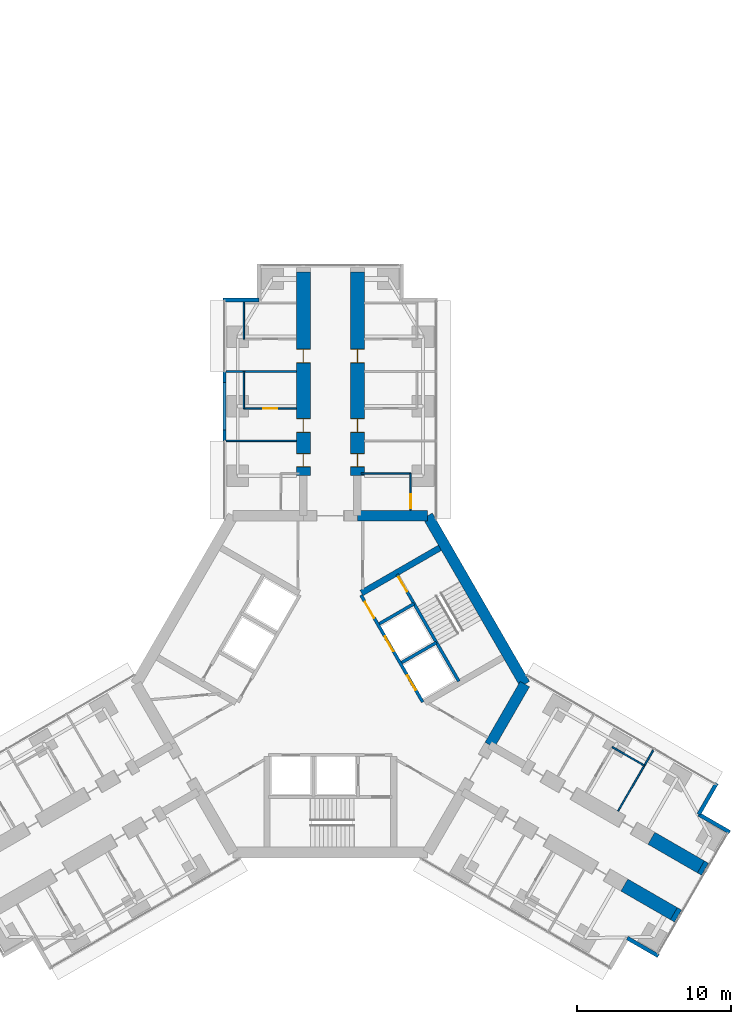
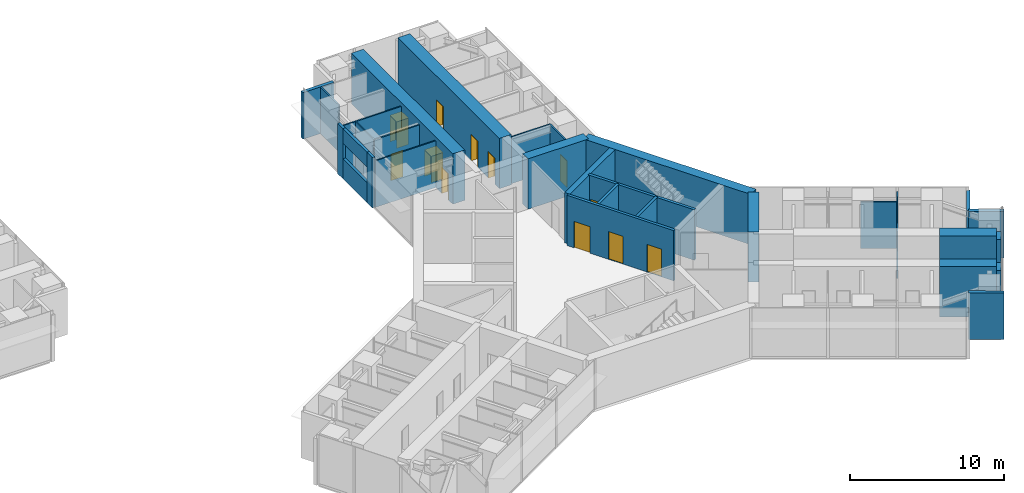
# One storey, part 22 of 25: 31 walls, 12 doors, 12 openings.
"""IFC4 building model written with IfcOpenShell, lengths in metres."""

from ifc_helpers import new_model, si_unit, direction, frame, frame_2d, origin, place, context, subcontext, project, spatial, rectangle, extrude, material, layer, layer_set, type_object, element, fill, save


model = new_model("IFC4")

# Units and contexts
model_context = context("Model", 3, precision=1e-05, world=origin(), true_north=direction((0.0, 1.0)))
body_context = subcontext(model_context, "Body", "Model", "MODEL_VIEW")
ifc_project = project(units=[si_unit("LENGTHUNIT", "METRE"), si_unit("AREAUNIT", "SQUARE_METRE"), si_unit("VOLUMEUNIT", "CUBIC_METRE"), si_unit("PLANEANGLEUNIT", "RADIAN"), si_unit("MASSUNIT", "GRAM", prefix="KILO")], contexts=[model_context])

# Site, building, storey
site_placement = place(None, origin())
site = spatial("IfcSite", under=ifc_project, at=site_placement, CompositionType="ELEMENT")
building_placement = place(site_placement, origin())
building = spatial("IfcBuilding", under=site, at=building_placement, Name="Upepo Twin Towers", CompositionType="ELEMENT")
storey_placement = place(building_placement, frame((0.0, 0.0, 88.5)))
storey = spatial("IfcBuildingStorey", under=building, at=storey_placement, Name="L21", CompositionType="ELEMENT", Elevation=88.5)

# Walls
ifc_material_1 = material(Name="Dense concrete blockwork", Category="masonry")
ifc_layer_1 = layer(ifc_material_1, 0.89990234375)
ifc_layer_set_1 = layer_set([ifc_layer_1], Name="Buttress closer 900, blockwork with fire-stopping to the curtain wall")
wall_type_1 = type_object("IfcWallType", Name="Buttress closer 900, blockwork with fire-stopping to the curtain wall", PredefinedType="PARTITIONING", material=ifc_layer_set_1)
for number, where, z_axis, x_axis, name in (
    (1, (82.497802734375, -29.83447265625, 0.0), (0.0, 0.0, 1.0), (0.866054481515, -0.499949632511, 0.0), "T2 L21 wing C buttress closer L"),
    (2, (80.747802734375, -32.865478515625, 0.0), (0.0, 0.0, 1.0), (0.866054481515, -0.499949632511, 0.0), "T2 L21 wing C buttress closer R"),
):
    element("IfcWall", number, at=place(storey_placement, frame(where, z_axis=z_axis, x_axis=x_axis)), inside=storey, type_object=wall_type_1, Name=name, PredefinedType="PARTITIONING", context=body_context, shape_type="SweptSolid", body=[
        extrude(rectangle(XDim=0.31005859375, YDim=0.89990234375, at=frame_2d((0.155029296875, 0.0))), origin(), (0.0, 0.0, 1.0), 3.699951171875),
    ])

# Wall, openings, doors
ifc_material_2 = material(Name="Concrete C60/75", Category="concrete")
ifc_layer_2 = layer(ifc_material_2, 0.89990234375)
ifc_layer_set_2 = layer_set([ifc_layer_2], Name="Concrete C60/75")
wall_type_2 = type_object("IfcWallType", Name="Buttress wall 900 RC", PredefinedType="SHEAR", material=ifc_layer_set_2)
wall_1_placement = place(storey_placement, frame((56.75, -4.5, 0.0), z_axis=(0.0, 0.0, 1.0), x_axis=(0.0, 1.0, 0.0)))
wall_1 = element("IfcWall", 3, at=wall_1_placement, inside=storey, type_object=wall_type_2, Name="T2 wing A buttress wall L part 2", PredefinedType="SHEAR", context=body_context, shape_type="SweptSolid", body=[
    extrude(rectangle(XDim=13.199951171875, YDim=0.89990234375, at=frame_2d((6.60009765625, 0.0))), origin(), (0.0, 0.0, 1.0), 4.0),
])
opening_1_placement = place(wall_1_placement, frame((0.550048828125, 0.0, 0.0)))
opening_1 = element("IfcOpeningElement", 4, at=opening_1_placement, cuts=wall_1, Name="Opening D11", PredefinedType="OPENING", context=body_context, shape_type="SweptSolid", body=[
    extrude(rectangle(XDim=0.89990234375, YDim=2.10009765625, at=frame_2d((0.449951171875, 1.050048828125))), frame((0.0, 0.4599609375, 0.0), z_axis=(0.0, -1.0, 0.0), x_axis=(1.0, 0.0, 0.0)), (0.0, 0.0, 1.0), 0.919921875),
])
opening_2_placement = place(wall_1_placement, frame((2.800048828125, 0.0, 0.0)))
opening_2 = element("IfcOpeningElement", 5, at=opening_2_placement, cuts=wall_1, Name="Opening D14", PredefinedType="OPENING", context=body_context, shape_type="SweptSolid", body=[
    extrude(rectangle(XDim=0.89990234375, YDim=2.10009765625, at=frame_2d((0.449951171875, 1.050048828125))), frame((0.0, 0.4599609375, 0.0), z_axis=(0.0, -1.0, 0.0), x_axis=(1.0, 0.0, 0.0)), (0.0, 0.0, 1.0), 0.919921875),
])
opening_3_placement = place(wall_1_placement, frame((7.300048828125, 0.0, 0.0)))
opening_3 = element("IfcOpeningElement", 6, at=opening_3_placement, cuts=wall_1, Name="Opening D14", PredefinedType="OPENING", context=body_context, shape_type="SweptSolid", body=[
    extrude(rectangle(XDim=0.89990234375, YDim=2.10009765625, at=frame_2d((0.449951171875, 1.050048828125))), frame((0.0, 0.4599609375, 0.0), z_axis=(0.0, -1.0, 0.0), x_axis=(1.0, 0.0, 0.0)), (0.0, 0.0, 1.0), 0.919921875),
])
ifc_material_3 = material(Name="Timber doorset", Category="wood")
door_type_1 = type_object("IfcDoorType", Name="Office door 900 FD30", OperationType="SINGLE_SWING_LEFT", PredefinedType="DOOR", material=ifc_material_3)
door_1_placement = place(opening_2_placement, origin())
door_1 = element("IfcDoor", 7, at=door_1_placement, inside=storey, type_object=door_type_1, Name="T2 L21 staff office door", OperationType="SINGLE_SWING_LEFT", OverallHeight=2.10009765625, OverallWidth=0.89990234375, PredefinedType="DOOR", context=body_context, shape_type="SweptSolid", body=[
    extrude(rectangle(XDim=0.81990234375, YDim=2.06009765625, at=frame_2d((0.449951171875, 1.030029296875))), frame((0.0, 0.02490234375, 0.0), z_axis=(0.0, -1.0, 0.0), x_axis=(1.0, 0.0, 0.0)), (0.0, 0.0, 1.0), 0.050048828125),
    extrude(rectangle(XDim=0.04, YDim=2.10009765625, at=frame_2d((0.02001953125, 1.050048828125))), frame((0.0, 0.44970703125, 0.0), z_axis=(0.0, -1.0, 0.0), x_axis=(1.0, 0.0, 0.0)), (0.0, 0.0, 1.0), 0.8994140625),
    extrude(rectangle(XDim=0.04, YDim=2.10009765625, at=frame_2d((0.8798828125, 1.050048828125))), frame((0.0, 0.44970703125, 0.0), z_axis=(0.0, -1.0, 0.0), x_axis=(1.0, 0.0, 0.0)), (0.0, 0.0, 1.0), 0.8994140625),
    extrude(rectangle(XDim=0.81990234375, YDim=0.04, at=frame_2d((0.449951171875, 2.080078125))), frame((0.0, 0.44970703125, 0.0), z_axis=(0.0, -1.0, 0.0), x_axis=(1.0, 0.0, 0.0)), (0.0, 0.0, 1.0), 0.8994140625),
])
fill(opening_2, door_1)
door_2_placement = place(opening_3_placement, origin())
door_2 = element("IfcDoor", 8, at=door_2_placement, inside=storey, type_object=door_type_1, Name="T2 L21 meeting room door", OperationType="SINGLE_SWING_RIGHT", OverallHeight=2.10009765625, OverallWidth=0.89990234375, PredefinedType="DOOR", context=body_context, shape_type="SweptSolid", body=[
    extrude(rectangle(XDim=0.81990234375, YDim=2.06009765625, at=frame_2d((0.449951171875, 1.030029296875))), frame((0.0, 0.02490234375, 0.0), z_axis=(0.0, -1.0, 0.0), x_axis=(1.0, 0.0, 0.0)), (0.0, 0.0, 1.0), 0.050048828125),
    extrude(rectangle(XDim=0.04, YDim=2.10009765625, at=frame_2d((0.02001953125, 1.050048828125))), frame((0.0, 0.44970703125, 0.0), z_axis=(0.0, -1.0, 0.0), x_axis=(1.0, 0.0, 0.0)), (0.0, 0.0, 1.0), 0.8994140625),
    extrude(rectangle(XDim=0.04, YDim=2.10009765625, at=frame_2d((0.8798828125, 1.050048828125))), frame((0.0, 0.44970703125, 0.0), z_axis=(0.0, -1.0, 0.0), x_axis=(1.0, 0.0, 0.0)), (0.0, 0.0, 1.0), 0.8994140625),
    extrude(rectangle(XDim=0.81990234375, YDim=0.04, at=frame_2d((0.449951171875, 2.080078125))), frame((0.0, 0.44970703125, 0.0), z_axis=(0.0, -1.0, 0.0), x_axis=(1.0, 0.0, 0.0)), (0.0, 0.0, 1.0), 0.8994140625),
])
fill(opening_3, door_2)
ifc_material_4 = material(Name="Timber doorset", Category="wood")
door_type_2 = type_object("IfcDoorType", Name="Toilet door 900", OperationType="SINGLE_SWING_LEFT", PredefinedType="DOOR", material=ifc_material_4)
door_3_placement = place(opening_1_placement, origin())
door_3 = element("IfcDoor", 9, at=door_3_placement, inside=storey, type_object=door_type_2, Name="T2 L21 toilets door", OperationType="SINGLE_SWING_LEFT", OverallHeight=2.10009765625, OverallWidth=0.89990234375, PredefinedType="DOOR", context=body_context, shape_type="SweptSolid", body=[
    extrude(rectangle(XDim=0.81990234375, YDim=2.06009765625, at=frame_2d((0.449951171875, 1.030029296875))), frame((0.0, 0.02490234375, 0.0), z_axis=(0.0, -1.0, 0.0), x_axis=(1.0, 0.0, 0.0)), (0.0, 0.0, 1.0), 0.050048828125),
    extrude(rectangle(XDim=0.04, YDim=2.10009765625, at=frame_2d((0.02001953125, 1.050048828125))), frame((0.0, 0.44970703125, 0.0), z_axis=(0.0, -1.0, 0.0), x_axis=(1.0, 0.0, 0.0)), (0.0, 0.0, 1.0), 0.8994140625),
    extrude(rectangle(XDim=0.04, YDim=2.10009765625, at=frame_2d((0.8798828125, 1.050048828125))), frame((0.0, 0.44970703125, 0.0), z_axis=(0.0, -1.0, 0.0), x_axis=(1.0, 0.0, 0.0)), (0.0, 0.0, 1.0), 0.8994140625),
    extrude(rectangle(XDim=0.81990234375, YDim=0.04, at=frame_2d((0.449951171875, 2.080078125))), frame((0.0, 0.44970703125, 0.0), z_axis=(0.0, -1.0, 0.0), x_axis=(1.0, 0.0, 0.0)), (0.0, 0.0, 1.0), 0.8994140625),
])
fill(opening_1, door_3)

wall_2_placement = place(storey_placement, frame((60.25, -4.5, 0.0), z_axis=(0.0, 0.0, 1.0), x_axis=(0.0, 1.0, 0.0)))
wall_2 = element("IfcWall", 10, at=wall_2_placement, inside=storey, type_object=wall_type_2, Name="T2 wing A buttress wall R part 2", PredefinedType="SHEAR", context=body_context, shape_type="SweptSolid", body=[
    extrude(rectangle(XDim=13.199951171875, YDim=0.89990234375, at=frame_2d((6.60009765625, 0.0))), origin(), (0.0, 0.0, 1.0), 4.0),
])
opening_4_placement = place(wall_2_placement, frame((0.550048828125, 0.0, 0.0)))
opening_4 = element("IfcOpeningElement", 11, at=opening_4_placement, cuts=wall_2, Name="Opening D11", PredefinedType="OPENING", context=body_context, shape_type="SweptSolid", body=[
    extrude(rectangle(XDim=0.89990234375, YDim=2.10009765625, at=frame_2d((0.449951171875, 1.050048828125))), frame((0.0, 0.4599609375, 0.0), z_axis=(0.0, -1.0, 0.0), x_axis=(1.0, 0.0, 0.0)), (0.0, 0.0, 1.0), 0.919921875),
])
opening_5_placement = place(wall_2_placement, frame((2.800048828125, 0.0, 0.0)))
opening_5 = element("IfcOpeningElement", 12, at=opening_5_placement, cuts=wall_2, Name="Opening D14", PredefinedType="OPENING", context=body_context, shape_type="SweptSolid", body=[
    extrude(rectangle(XDim=0.89990234375, YDim=2.10009765625, at=frame_2d((0.449951171875, 1.050048828125))), frame((0.0, 0.4599609375, 0.0), z_axis=(0.0, -1.0, 0.0), x_axis=(1.0, 0.0, 0.0)), (0.0, 0.0, 1.0), 0.919921875),
])
opening_6_placement = place(wall_2_placement, frame((7.300048828125, 0.0, 0.0)))
opening_6 = element("IfcOpeningElement", 13, at=opening_6_placement, cuts=wall_2, Name="Opening D14", PredefinedType="OPENING", context=body_context, shape_type="SweptSolid", body=[
    extrude(rectangle(XDim=0.89990234375, YDim=2.10009765625, at=frame_2d((0.449951171875, 1.050048828125))), frame((0.0, 0.4599609375, 0.0), z_axis=(0.0, -1.0, 0.0), x_axis=(1.0, 0.0, 0.0)), (0.0, 0.0, 1.0), 0.919921875),
])
door_4_placement = place(opening_5_placement, origin())
door_4 = element("IfcDoor", 14, at=door_4_placement, inside=storey, type_object=door_type_1, Name="T2 L21 staff office door", OperationType="SINGLE_SWING_LEFT", OverallHeight=2.10009765625, OverallWidth=0.89990234375, PredefinedType="DOOR", context=body_context, shape_type="SweptSolid", body=[
    extrude(rectangle(XDim=0.81990234375, YDim=2.06009765625, at=frame_2d((0.449951171875, 1.030029296875))), frame((0.0, 0.02490234375, 0.0), z_axis=(0.0, -1.0, 0.0), x_axis=(1.0, 0.0, 0.0)), (0.0, 0.0, 1.0), 0.050048828125),
    extrude(rectangle(XDim=0.04, YDim=2.10009765625, at=frame_2d((0.02001953125, 1.050048828125))), frame((0.0, 0.44970703125, 0.0), z_axis=(0.0, -1.0, 0.0), x_axis=(1.0, 0.0, 0.0)), (0.0, 0.0, 1.0), 0.8994140625),
    extrude(rectangle(XDim=0.04, YDim=2.10009765625, at=frame_2d((0.8798828125, 1.050048828125))), frame((0.0, 0.44970703125, 0.0), z_axis=(0.0, -1.0, 0.0), x_axis=(1.0, 0.0, 0.0)), (0.0, 0.0, 1.0), 0.8994140625),
    extrude(rectangle(XDim=0.81990234375, YDim=0.04, at=frame_2d((0.449951171875, 2.080078125))), frame((0.0, 0.44970703125, 0.0), z_axis=(0.0, -1.0, 0.0), x_axis=(1.0, 0.0, 0.0)), (0.0, 0.0, 1.0), 0.8994140625),
])
fill(opening_5, door_4)
door_5_placement = place(opening_6_placement, origin())
door_5 = element("IfcDoor", 15, at=door_5_placement, inside=storey, type_object=door_type_1, Name="T2 L21 postgraduate office door", OperationType="SINGLE_SWING_RIGHT", OverallHeight=2.10009765625, OverallWidth=0.89990234375, PredefinedType="DOOR", context=body_context, shape_type="SweptSolid", body=[
    extrude(rectangle(XDim=0.81990234375, YDim=2.06009765625, at=frame_2d((0.449951171875, 1.030029296875))), frame((0.0, 0.02490234375, 0.0), z_axis=(0.0, -1.0, 0.0), x_axis=(1.0, 0.0, 0.0)), (0.0, 0.0, 1.0), 0.050048828125),
    extrude(rectangle(XDim=0.04, YDim=2.10009765625, at=frame_2d((0.02001953125, 1.050048828125))), frame((0.0, 0.44970703125, 0.0), z_axis=(0.0, -1.0, 0.0), x_axis=(1.0, 0.0, 0.0)), (0.0, 0.0, 1.0), 0.8994140625),
    extrude(rectangle(XDim=0.04, YDim=2.10009765625, at=frame_2d((0.8798828125, 1.050048828125))), frame((0.0, 0.44970703125, 0.0), z_axis=(0.0, -1.0, 0.0), x_axis=(1.0, 0.0, 0.0)), (0.0, 0.0, 1.0), 0.8994140625),
    extrude(rectangle(XDim=0.81990234375, YDim=0.04, at=frame_2d((0.449951171875, 2.080078125))), frame((0.0, 0.44970703125, 0.0), z_axis=(0.0, -1.0, 0.0), x_axis=(1.0, 0.0, 0.0)), (0.0, 0.0, 1.0), 0.8994140625),
])
fill(opening_6, door_5)
door_6_placement = place(opening_4_placement, origin())
door_6 = element("IfcDoor", 16, at=door_6_placement, inside=storey, type_object=door_type_2, Name="T2 L21 accessible wc door", OperationType="SINGLE_SWING_LEFT", OverallHeight=2.10009765625, OverallWidth=0.89990234375, PredefinedType="DOOR", context=body_context, shape_type="SweptSolid", body=[
    extrude(rectangle(XDim=0.81990234375, YDim=2.06009765625, at=frame_2d((0.449951171875, 1.030029296875))), frame((0.0, 0.02490234375, 0.0), z_axis=(0.0, -1.0, 0.0), x_axis=(1.0, 0.0, 0.0)), (0.0, 0.0, 1.0), 0.050048828125),
    extrude(rectangle(XDim=0.04, YDim=2.10009765625, at=frame_2d((0.02001953125, 1.050048828125))), frame((0.0, 0.44970703125, 0.0), z_axis=(0.0, -1.0, 0.0), x_axis=(1.0, 0.0, 0.0)), (0.0, 0.0, 1.0), 0.8994140625),
    extrude(rectangle(XDim=0.04, YDim=2.10009765625, at=frame_2d((0.8798828125, 1.050048828125))), frame((0.0, 0.44970703125, 0.0), z_axis=(0.0, -1.0, 0.0), x_axis=(1.0, 0.0, 0.0)), (0.0, 0.0, 1.0), 0.8994140625),
    extrude(rectangle(XDim=0.81990234375, YDim=0.04, at=frame_2d((0.449951171875, 2.080078125))), frame((0.0, 0.44970703125, 0.0), z_axis=(0.0, -1.0, 0.0), x_axis=(1.0, 0.0, 0.0)), (0.0, 0.0, 1.0), 0.8994140625),
])
fill(opening_4, door_6)

# Walls
wall_3_placement = place(storey_placement, frame((79.293701171875, -27.984375, 0.0), z_axis=(0.0, 0.0, 1.0), x_axis=(0.866000971088, -0.500042316284, 0.0)))
element("IfcWall", 17, at=wall_3_placement, inside=storey, type_object=wall_type_2, Name="T2 wing C buttress wall L part 3", PredefinedType="SHEAR", context=body_context, shape_type="SweptSolid", body=[
    extrude(rectangle(XDim=3.699951171875, YDim=0.89990234375, at=frame_2d((1.85009765625, 0.0))), origin(), (0.0, 0.0, 1.0), 4.0),
])
wall_4_placement = place(storey_placement, frame((77.543701171875, -31.015625, 0.0), z_axis=(0.0, 0.0, 1.0), x_axis=(0.866029545028, -0.499992827086, 0.0)))
element("IfcWall", 18, at=wall_4_placement, inside=storey, type_object=wall_type_2, Name="T2 wing C buttress wall R part 3", PredefinedType="SHEAR", context=body_context, shape_type="SweptSolid", body=[
    extrude(rectangle(XDim=3.69970703125, YDim=0.89990234375, at=frame_2d((1.849853515625, 0.0))), origin(), (0.0, 0.0, 1.0), 4.0),
])
ifc_material_5 = material(Name="Concrete C60/75", Category="concrete")
ifc_layer_3 = layer(ifc_material_5, 0.699951171875)
ifc_layer_set_3 = layer_set([ifc_layer_3], Name="Concrete C60/75")
wall_type_3 = type_object("IfcWallType", Name="Core wall 700 RC", PredefinedType="SHEAR", material=ifc_layer_set_3)
wall_5_placement = place(storey_placement, frame((64.7978515625, -7.091552734375, 0.0), z_axis=(0.0, 0.0, 1.0), x_axis=(-1.0, 0.0, 0.0)))
element("IfcWall", 19, at=wall_5_placement, inside=storey, type_object=wall_type_3, Name="T2 core wall 000 R", PredefinedType="SHEAR", context=body_context, shape_type="SweptSolid", body=[
    extrude(rectangle(XDim=4.5478515625, YDim=0.699951171875, at=frame_2d((2.27392578125, 0.0))), origin(), (0.0, 0.0, 1.0), 4.0),
])
wall_6_placement = place(storey_placement, frame((68.82177734375, -21.938720703125, 0.0), z_axis=(0.0, 0.0, 1.0), x_axis=(0.500024481964, 0.866011268655, 0.0)))
element("IfcWall", 20, at=wall_6_placement, inside=storey, type_object=wall_type_3, Name="T2 core wall 240 L", PredefinedType="SHEAR", context=body_context, shape_type="SweptSolid", body=[
    extrude(rectangle(XDim=4.548095703125, YDim=0.699951171875, at=frame_2d((2.27392578125, 0.0))), origin(), (0.0, 0.0, 1.0), 4.0),
])
wall_7_placement = place(storey_placement, frame((71.095947265625, -18.0, 0.0), z_axis=(0.0, 0.0, 1.0), x_axis=(-0.500005998175, 0.866021940709, 0.0)))
element("IfcWall", 21, at=wall_7_placement, inside=storey, type_object=wall_type_3, Name="T2 core wall 300", PredefinedType="SHEAR", context=body_context, shape_type="SweptSolid", body=[
    extrude(rectangle(XDim=12.595947265625, YDim=0.699951171875, at=frame_2d((6.2978515625, 0.0))), origin(), (0.0, 0.0, 1.0), 4.0),
])
ifc_material_6 = material(Name="Blockwork with anodised aluminium cladding", Category="masonry")
ifc_layer_4 = layer(ifc_material_6, 0.25)
ifc_layer_set_4 = layer_set([ifc_layer_4], Name="Notch cladding wall 250, pale metal")
wall_type_4 = type_object("IfcWallType", Name="Notch cladding wall 250, pale metal", PredefinedType="STANDARD", material=ifc_layer_set_4)
for number, where, z_axis, x_axis, name in (
    (22, (51.550048828125, 6.875, 0.0), (0.0, 0.0, 1.0), (1.0, 0.0, 0.0), "T2 L21 wing A notch wall L1"),
    (23, (83.517333984375, -24.418701171875, 0.0), (0.0, 0.0, 1.0), (-0.499967891604, -0.866043940782, 0.0), "T2 L21 wing C notch wall L1"),
    (24, (82.35498046875, -26.43212890625, 0.0), (0.0, 0.0, 1.0), (0.865998469481, -0.500046648681, 0.0), "T2 L21 wing C notch wall L2"),
    (25, (77.72998046875, -34.44287109375, 0.0), (0.0, 0.0, 1.0), (0.865998469481, -0.500046648681, 0.0), "T2 L21 wing C notch wall R2"),
):
    element("IfcWall", number, at=place(storey_placement, frame(where, z_axis=z_axis, x_axis=x_axis)), inside=storey, type_object=wall_type_4, Name=name, PredefinedType="STANDARD", context=body_context, shape_type="SweptSolid", body=[
        extrude(rectangle(XDim=2.324951171875, YDim=0.25, at=frame_2d((1.16259765625, 0.0))), origin(), (0.0, 0.0, 1.0), 3.699951171875),
    ])
ifc_material_7 = material(Name="Gypsum board on steel studs", Category="steel")
ifc_layer_5 = layer(ifc_material_7, 0.10009765625)
ifc_layer_set_5 = layer_set([ifc_layer_5], Name="Office partition 100 stud")
wall_type_5 = type_object("IfcWallType", Name="Office partition 100 stud", PredefinedType="PARTITIONING", material=ifc_layer_set_5)
for number, where, z_axis, x_axis, name in (
    (26, (56.300048828125, -2.25, 0.0), (0.0, 0.0, 1.0), (-1.0, 0.0, 0.0), "T2 partition AL at 15.75"),
    (27, (56.300048828125, 2.25, 0.0), (0.0, 0.0, 1.0), (-1.0, 0.0, 0.0), "T2 partition AL at 20.25"),
):
    element("IfcWall", number, at=place(storey_placement, frame(where, z_axis=z_axis, x_axis=x_axis)), inside=storey, type_object=wall_type_5, Name=name, PredefinedType="PARTITIONING", context=body_context, shape_type="SweptSolid", body=[
        extrude(rectangle(XDim=4.550048828125, YDim=0.10009765625, at=frame_2d((2.27490234375, 0.0))), origin(), (0.0, 0.0, 1.0), 3.699951171875),
    ])
wall_8_placement = place(storey_placement, frame((52.89990234375, -0.14990234375, 0.0), z_axis=(0.0, 0.0, 1.0), x_axis=(0.0, 1.0, 0.0)))
element("IfcWall", 28, at=wall_8_placement, inside=storey, type_object=wall_type_5, Name="T2 inner room partition AL at 17.85", PredefinedType="PARTITIONING", context=body_context, shape_type="SweptSolid", body=[
    extrude(rectangle(XDim=2.39990234375, YDim=0.10009765625, at=frame_2d((1.199951171875, 0.0))), origin(), (0.0, 0.0, 1.0), 3.699951171875),
])

# Wall, opening, door
wall_9_placement = place(storey_placement, frame((56.300048828125, -0.14990234375, 0.0), z_axis=(0.0, 0.0, 1.0), x_axis=(-1.0, 0.0, 0.0)))
wall_9 = element("IfcWall", 29, at=wall_9_placement, inside=storey, type_object=wall_type_5, Name="T2 inner room partition AL end at 17.85", PredefinedType="PARTITIONING", context=body_context, shape_type="SweptSolid", body=[
    extrude(rectangle(XDim=3.400146484375, YDim=0.10009765625, at=frame_2d((1.7001953125, 0.0))), origin(), (0.0, 0.0, 1.0), 3.699951171875),
])
opening_7_placement = place(wall_9_placement, frame((1.25, 0.0, 0.0)))
opening_7 = element("IfcOpeningElement", 30, at=opening_7_placement, cuts=wall_9, Name="Opening D14", PredefinedType="OPENING", context=body_context, shape_type="SweptSolid", body=[
    extrude(rectangle(XDim=0.89990234375, YDim=2.10009765625, at=frame_2d((0.449951171875, 1.050048828125))), frame((0.0, 0.06005859375, 0.0), z_axis=(0.0, -1.0, 0.0), x_axis=(1.0, 0.0, 0.0)), (0.0, 0.0, 1.0), 0.1201171875),
])
door_7_placement = place(opening_7_placement, origin())
door_7 = element("IfcDoor", 31, at=door_7_placement, inside=storey, type_object=door_type_1, Name="T2 L21 inner room door", OperationType="SINGLE_SWING_LEFT", OverallHeight=2.10009765625, OverallWidth=0.89990234375, PredefinedType="DOOR", context=body_context, shape_type="SweptSolid", body=[
    extrude(rectangle(XDim=0.89990234375, YDim=2.10009765625, at=frame_2d((0.449951171875, 1.050048828125))), frame((0.0, 0.02490234375, 0.0), z_axis=(0.0, -1.0, 0.0), x_axis=(1.0, 0.0, 0.0)), (0.0, 0.0, 1.0), 0.050048828125),
])
fill(opening_7, door_7)

# Wall
wall_10_placement = place(storey_placement, frame((52.89990234375, 4.35009765625, 0.0), z_axis=(0.0, 0.0, 1.0), x_axis=(0.0, 1.0, 0.0)))
element("IfcWall", 32, at=wall_10_placement, inside=storey, type_object=wall_type_5, Name="T2 inner room partition AL at 22.35", PredefinedType="PARTITIONING", context=body_context, shape_type="SweptSolid", body=[
    extrude(rectangle(XDim=2.39990234375, YDim=0.10009765625, at=frame_2d((1.199951171875, 0.0))), origin(), (0.0, 0.0, 1.0), 3.699951171875),
])

# Wall, opening, door
wall_11_placement = place(storey_placement, frame((63.699951171875, -6.741943359375, 0.0), z_axis=(0.0, 0.0, 1.0), x_axis=(0.0, 1.0, 0.0)))
wall_11 = element("IfcWall", 33, at=wall_11_placement, inside=storey, type_object=wall_type_5, Name="T2 WC bay partition AR at 11.26", PredefinedType="PARTITIONING", context=body_context, shape_type="SweptSolid", body=[
    extrude(rectangle(XDim=2.39990234375, YDim=0.10009765625, at=frame_2d((1.199951171875, 0.0))), origin(), (0.0, 0.0, 1.0), 3.699951171875),
])
opening_8_placement = place(wall_11_placement, frame((0.14990234375, 0.0, 0.0)))
opening_8 = element("IfcOpeningElement", 34, at=opening_8_placement, cuts=wall_11, Name="Opening D14", PredefinedType="OPENING", context=body_context, shape_type="SweptSolid", body=[
    extrude(rectangle(XDim=0.89990234375, YDim=2.10009765625, at=frame_2d((0.449951171875, 1.050048828125))), frame((0.0, 0.06005859375, 0.0), z_axis=(0.0, -1.0, 0.0), x_axis=(1.0, 0.0, 0.0)), (0.0, 0.0, 1.0), 0.1201171875),
])
door_8_placement = place(opening_8_placement, origin())
door_8 = element("IfcDoor", 35, at=door_8_placement, inside=storey, type_object=door_type_1, Name="T2 L21 WC bay inner room door", OperationType="SINGLE_SWING_LEFT", OverallHeight=2.10009765625, OverallWidth=0.89990234375, PredefinedType="DOOR", context=body_context, shape_type="SweptSolid", body=[
    extrude(rectangle(XDim=0.89990234375, YDim=2.10009765625, at=frame_2d((0.449951171875, 1.050048828125))), frame((0.0, 0.02490234375, 0.0), z_axis=(0.0, -1.0, 0.0), x_axis=(1.0, 0.0, 0.0)), (0.0, 0.0, 1.0), 0.050048828125),
])
fill(opening_8, door_8)

# Walls
wall_12_placement = place(storey_placement, frame((60.5, -4.342041015625, 0.0), z_axis=(0.0, 0.0, 1.0), x_axis=(1.0, 0.0, 0.0)))
element("IfcWall", 36, at=wall_12_placement, inside=storey, type_object=wall_type_5, Name="T2 WC bay partition AR end at 13.66", PredefinedType="PARTITIONING", context=body_context, shape_type="SweptSolid", body=[
    extrude(rectangle(XDim=3.199951171875, YDim=0.10009765625, at=frame_2d((1.60009765625, 0.0))), origin(), (0.0, 0.0, 1.0), 3.699951171875),
])
wall_13_placement = place(storey_placement, frame((77.136962890625, -26.2197265625, 0.0), z_axis=(0.0, 0.0, 1.0), x_axis=(0.500022803284, 0.866012237902, 0.0)))
element("IfcWall", 37, at=wall_13_placement, inside=storey, type_object=wall_type_5, Name="T2 partition CL at 20.25", PredefinedType="PARTITIONING", context=body_context, shape_type="SweptSolid", body=[
    extrude(rectangle(XDim=4.550048828125, YDim=0.10009765625, at=frame_2d((2.27490234375, 0.0))), origin(), (0.0, 0.0, 1.0), 3.699951171875),
])
wall_14_placement = place(storey_placement, frame((76.758544921875, -22.0751953125, 0.0), z_axis=(0.0, 0.0, 1.0), x_axis=(0.866024647952, -0.500001309137, 0.0)))
element("IfcWall", 38, at=wall_14_placement, inside=storey, type_object=wall_type_5, Name="T2 inner room partition CL at 17.85", PredefinedType="PARTITIONING", context=body_context, shape_type="SweptSolid", body=[
    extrude(rectangle(XDim=2.39990234375, YDim=0.10009765625, at=frame_2d((1.199951171875, 0.0))), origin(), (0.0, 0.0, 1.0), 3.699951171875),
])
ifc_material_8 = material(Name="Concrete C40/50", Category="concrete")
ifc_layer_6 = layer(ifc_material_8, 0.25)
ifc_layer_set_6 = layer_set([ifc_layer_6], Name="Concrete C40/50")
wall_type_6 = type_object("IfcWallType", Name="Refuge fire wall 250 RC", PredefinedType="STANDARD", material=ifc_layer_set_6)
for number, where, z_axis, x_axis, name in (
    (39, (51.64990234375, -2.25, 0.0), (0.0, 0.0, 1.0), (0.0, 1.0, 0.0), "T2 L21 skybridge seat wall 1"),
    (40, (51.64990234375, 1.551025390625, 0.0), (0.0, 0.0, 1.0), (0.0, 1.0, 0.0), "T2 L21 skybridge seat wall 2"),
):
    element("IfcWall", number, at=place(storey_placement, frame(where, z_axis=z_axis, x_axis=x_axis)), inside=storey, type_object=wall_type_6, Name=name, PredefinedType="STANDARD", context=body_context, shape_type="SweptSolid", body=[
        extrude(rectangle(XDim=0.698974609375, YDim=0.199951171875, at=frame_2d((0.349609375, 0.0))), origin(), (0.0, 0.0, 1.0), 4.0),
    ])
wall_15_placement = place(storey_placement, frame((51.64990234375, -1.551025390625, 0.0), z_axis=(0.0, 0.0, 1.0), x_axis=(0.0, 1.0, 0.0)))
element("IfcWall", 41, at=wall_15_placement, inside=storey, type_object=wall_type_6, Name="T2 L21 skybridge seat wall 3", PredefinedType="STANDARD", context=body_context, shape_type="SweptSolid", body=[
    extrude(rectangle(XDim=3.10205078125, YDim=0.199951171875, at=frame_2d((1.551025390625, 0.0))), origin(), (0.0, 0.0, 1.0), 1.610595703125),
])
wall_16_placement = place(storey_placement, frame((51.64990234375, -1.551025390625, 2.820556640625), z_axis=(0.0, 0.0, 1.0), x_axis=(0.0, 1.0, 0.0)))
element("IfcWall", 42, at=wall_16_placement, inside=storey, type_object=wall_type_6, Name="T2 L21 skybridge seat wall 4", PredefinedType="STANDARD", context=body_context, shape_type="SweptSolid", body=[
    extrude(rectangle(XDim=3.10205078125, YDim=0.199951171875, at=frame_2d((1.551025390625, 0.0))), origin(), (0.0, 0.0, 1.0), 1.179443359375),
])

# Wall, openings, doors
ifc_material_9 = material(Name="Concrete C40/50", Category="concrete")
ifc_layer_7 = layer(ifc_material_9, 0.199951171875)
ifc_layer_set_7 = layer_set([ifc_layer_7], Name="Concrete C40/50")
wall_type_7 = type_object("IfcWallType", Name="Shaft wall 200 RC", PredefinedType="SHEAR", material=ifc_layer_set_7)
wall_17_placement = place(storey_placement, frame((64.483642578125, -19.1640625, 0.0), z_axis=(0.0, 0.0, 1.0), x_axis=(-0.49999894854, 0.866026010844, 0.0)))
wall_17 = element("IfcWall", 43, at=wall_17_placement, inside=storey, type_object=wall_type_7, Name="T2 core W300 front wall", PredefinedType="SHEAR", context=body_context, shape_type="SweptSolid", body=[
    extrude(rectangle(XDim=8.0, YDim=0.199951171875, at=frame_2d((4.0, 0.0))), origin(), (0.0, 0.0, 1.0), 4.0),
])
opening_9_placement = place(wall_17_placement, frame((6.300048828125, 0.0, 0.0)))
opening_9 = element("IfcOpeningElement", 44, at=opening_9_placement, cuts=wall_17, Name="Opening D4", PredefinedType="OPENING", context=body_context, shape_type="SweptSolid", body=[
    extrude(rectangle(XDim=1.199951171875, YDim=2.10009765625, at=frame_2d((0.60009765625, 1.050048828125))), frame((0.0, 0.10986328125, 0.0), z_axis=(0.0, -1.0, 0.0), x_axis=(1.0, 0.0, 0.0)), (0.0, 0.0, 1.0), 0.219970703125),
])
opening_10_placement = place(wall_17_placement, frame((0.89990234375, 0.0, 0.0)))
opening_10 = element("IfcOpeningElement", 45, at=opening_10_placement, cuts=wall_17, Name="Opening LD1", PredefinedType="OPENING", context=body_context, shape_type="SweptSolid", body=[
    extrude(rectangle(XDim=1.10009765625, YDim=2.199951171875, at=frame_2d((0.550048828125, 1.10009765625))), frame((0.0, 0.10986328125, 0.0), z_axis=(0.0, -1.0, 0.0), x_axis=(1.0, 0.0, 0.0)), (0.0, 0.0, 1.0), 0.219970703125),
])
opening_11_placement = place(wall_17_placement, frame((3.800048828125, 0.0, 0.0)))
opening_11 = element("IfcOpeningElement", 46, at=opening_11_placement, cuts=wall_17, Name="Opening LD1", PredefinedType="OPENING", context=body_context, shape_type="SweptSolid", body=[
    extrude(rectangle(XDim=1.10009765625, YDim=2.199951171875, at=frame_2d((0.550048828125, 1.10009765625))), frame((0.0, 0.10986328125, 0.0), z_axis=(0.0, -1.0, 0.0), x_axis=(1.0, 0.0, 0.0)), (0.0, 0.0, 1.0), 0.219970703125),
])
ifc_material_10 = material(Name="Steel doorset", Category="steel")
door_type_3 = type_object("IfcDoorType", Name="Lift landing door 1100", OperationType="DOUBLE_DOOR_SLIDING", PredefinedType="DOOR", material=ifc_material_10)
door_9_placement = place(opening_10_placement, origin())
door_9 = element("IfcDoor", 47, at=door_9_placement, inside=storey, type_object=door_type_3, Name="T2 L21 lift LL1 landing door", OperationType="DOUBLE_DOOR_SLIDING", OverallHeight=2.199951171875, OverallWidth=1.10009765625, PredefinedType="DOOR", context=body_context, shape_type="SweptSolid", body=[
    extrude(rectangle(XDim=1.10009765625, YDim=2.199951171875, at=frame_2d((0.550048828125, 1.10009765625))), frame((0.0, 0.02490234375, 0.0), z_axis=(0.0, -1.0, 0.0), x_axis=(1.0, 0.0, 0.0)), (0.0, 0.0, 1.0), 0.050048828125),
])
fill(opening_10, door_9)
door_10_placement = place(opening_11_placement, origin())
door_10 = element("IfcDoor", 48, at=door_10_placement, inside=storey, type_object=door_type_3, Name="T2 L21 lift LL2 landing door", OperationType="DOUBLE_DOOR_SLIDING", OverallHeight=2.199951171875, OverallWidth=1.10009765625, PredefinedType="DOOR", context=body_context, shape_type="SweptSolid", body=[
    extrude(rectangle(XDim=1.10009765625, YDim=2.199951171875, at=frame_2d((0.550048828125, 1.10009765625))), frame((0.0, 0.02490234375, 0.0), z_axis=(0.0, -1.0, 0.0), x_axis=(1.0, 0.0, 0.0)), (0.0, 0.0, 1.0), 0.050048828125),
])
fill(opening_11, door_10)
ifc_material_11 = material(Name="Timber doorset", Category="wood")
door_type_4 = type_object("IfcDoorType", Name="Lobby door 1200 FD60", OperationType="SINGLE_SWING_LEFT", PredefinedType="DOOR", material=ifc_material_11)
door_11_placement = place(opening_9_placement, origin())
door_11 = element("IfcDoor", 49, at=door_11_placement, inside=storey, type_object=door_type_4, Name="T2 L21 W300 lobby door", OperationType="SINGLE_SWING_RIGHT", OverallHeight=2.10009765625, OverallWidth=1.199951171875, PredefinedType="DOOR", context=body_context, shape_type="SweptSolid", body=[
    extrude(rectangle(XDim=1.199951171875, YDim=2.10009765625, at=frame_2d((0.60009765625, 1.050048828125))), frame((0.0, 0.02490234375, 0.0), z_axis=(0.0, -1.0, 0.0), x_axis=(1.0, 0.0, 0.0)), (0.0, 0.0, 1.0), 0.050048828125),
])
fill(opening_9, door_11)

# Walls
wall_18_placement = place(storey_placement, frame((63.120361328125, -16.6025390625, 0.0), z_axis=(0.0, 0.0, 1.0), x_axis=(0.866062058628, 0.499936506574, 0.0)))
element("IfcWall", 50, at=wall_18_placement, inside=storey, type_object=wall_type_7, Name="T2 core W300 shaft divider", PredefinedType="SHEAR", context=body_context, shape_type="SweptSolid", body=[
    extrude(rectangle(XDim=2.599853515625, YDim=0.199951171875, at=frame_2d((1.2998046875, 0.0))), origin(), (0.0, 0.0, 1.0), 4.0),
])
wall_19_placement = place(storey_placement, frame((61.67041015625, -14.091064453125, 0.0), z_axis=(0.0, 0.0, 1.0), x_axis=(0.86603858612, 0.49997716683, 0.0)))
element("IfcWall", 51, at=wall_19_placement, inside=storey, type_object=wall_type_7, Name="T2 core W300 lobby wall", PredefinedType="SHEAR", context=body_context, shape_type="SweptSolid", body=[
    extrude(rectangle(XDim=2.599609375, YDim=0.199951171875, at=frame_2d((1.2998046875, 0.0))), origin(), (0.0, 0.0, 1.0), 4.0),
])

# Wall, opening, door
wall_20_placement = place(storey_placement, frame((66.822021484375, -17.814208984375, 0.0), z_axis=(0.0, 0.0, 1.0), x_axis=(-0.49999894854, 0.866026010844, 0.0)))
wall_20 = element("IfcWall", 52, at=wall_20_placement, inside=storey, type_object=wall_type_7, Name="T2 core W300 stair wall", PredefinedType="SHEAR", context=body_context, shape_type="SweptSolid", body=[
    extrude(rectangle(XDim=8.0, YDim=0.199951171875, at=frame_2d((4.0, 0.0))), origin(), (0.0, 0.0, 1.0), 4.0),
])
opening_12_placement = place(wall_20_placement, frame((6.699951171875, 0.0, 0.0)))
opening_12 = element("IfcOpeningElement", 53, at=opening_12_placement, cuts=wall_20, Name="Opening D3", PredefinedType="OPENING", context=body_context, shape_type="SweptSolid", body=[
    extrude(rectangle(XDim=1.10009765625, YDim=2.10009765625, at=frame_2d((0.550048828125, 1.050048828125))), frame((0.0, 0.10986328125, 0.0), z_axis=(0.0, -1.0, 0.0), x_axis=(1.0, 0.0, 0.0)), (0.0, 0.0, 1.0), 0.219970703125),
])
ifc_material_12 = material(Name="Timber doorset", Category="wood")
door_type_5 = type_object("IfcDoorType", Name="Stair door 1100 FD60", OperationType="SINGLE_SWING_LEFT", PredefinedType="DOOR", material=ifc_material_12)
door_12_placement = place(opening_12_placement, origin())
door_12 = element("IfcDoor", 54, at=door_12_placement, inside=storey, type_object=door_type_5, Name="T2 L21 stair door", OperationType="SINGLE_SWING_RIGHT", OverallHeight=2.10009765625, OverallWidth=1.10009765625, PredefinedType="DOOR", context=body_context, shape_type="SweptSolid", body=[
    extrude(rectangle(XDim=1.10009765625, YDim=2.10009765625, at=frame_2d((0.550048828125, 1.050048828125))), frame((0.0, 0.02490234375, 0.0), z_axis=(0.0, -1.0, 0.0), x_axis=(1.0, 0.0, 0.0)), (0.0, 0.0, 1.0), 0.050048828125),
])
fill(opening_12, door_12)

# Wall
ifc_material_13 = material(Name="Concrete C40/50", Category="concrete")
ifc_layer_8 = layer(ifc_material_13, 0.39990234375)
ifc_layer_set_8 = layer_set([ifc_layer_8], Name="Concrete C40/50")
wall_type_8 = type_object("IfcWallType", Name="Shaft wall 400 RC", PredefinedType="SHEAR", material=ifc_layer_set_8)
wall_21_placement = place(storey_placement, frame((60.520263671875, -12.099365234375, 0.0), z_axis=(0.0, 0.0, 1.0), x_axis=(0.866023886965, 0.500002627198, 0.0)))
element("IfcWall", 55, at=wall_21_placement, inside=storey, type_object=wall_type_8, Name="T2 core W300 side wall N", PredefinedType="SHEAR", context=body_context, shape_type="SweptSolid", body=[
    extrude(rectangle(XDim=5.8583984375, YDim=0.39990234375, at=frame_2d((2.92919921875, 0.0))), origin(), (0.0, 0.0, 1.0), 4.0),
])

save(model, "model.ifc")
